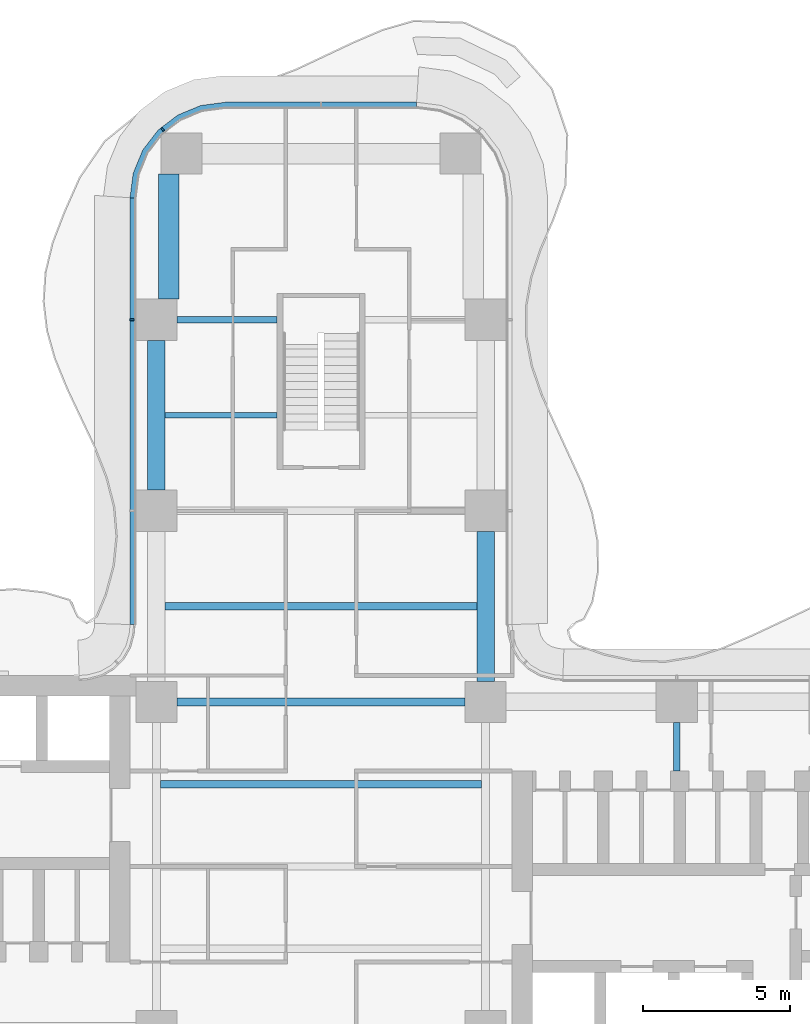
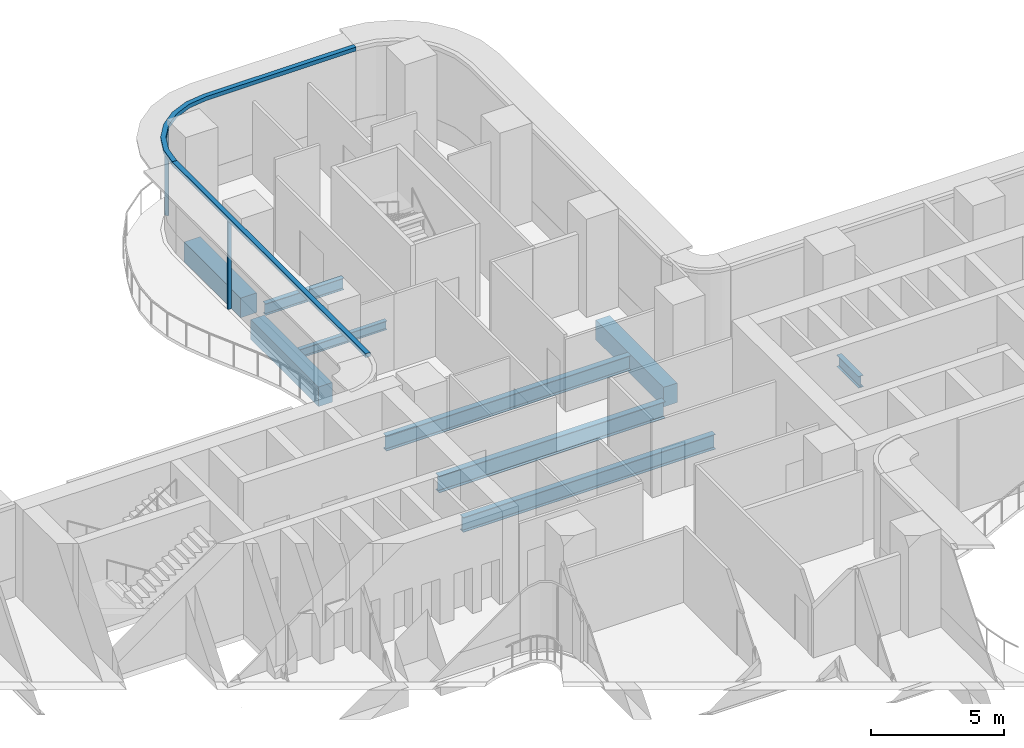
# One storey, part 9 of 23: 9 beams, 4 members, 2 elements without a shape of their own.
"""IFC4 building model written with IfcOpenShell, lengths in metres."""

from ifc_helpers import new_model, si_unit, direction, frame, origin, origin_2d, place, context, subcontext, project, spatial, polyline, rectangle, i_section, outline, extrude, source, transform, mapped, material, layer, layer_set, material_profile, profile_set, type_object, element, aggregate, save


model = new_model("IFC4")

# Units and contexts
model_context = context("Model", 3, precision=1e-05, world=origin(), true_north=direction((0.0, 1.0)))
body_context = subcontext(model_context, "Body", "Model", "MODEL_VIEW")
ifc_project = project(units=[si_unit("LENGTHUNIT", "METRE"), si_unit("AREAUNIT", "SQUARE_METRE"), si_unit("VOLUMEUNIT", "CUBIC_METRE"), si_unit("PLANEANGLEUNIT", "RADIAN"), si_unit("MASSUNIT", "GRAM", prefix="KILO")], contexts=[model_context])

# Site, building, storey
site_placement = place(None, origin())
site = spatial("IfcSite", under=ifc_project, at=site_placement, CompositionType="ELEMENT")
building_placement = place(site_placement, origin())
building = spatial("IfcBuilding", under=site, at=building_placement, Name="Trellis Farm Tower", CompositionType="ELEMENT")
storey_placement = place(building_placement, frame((0.0, 0.0, 74.5)))
storey = spatial("IfcBuildingStorey", under=building, at=storey_placement, Name="L15", CompositionType="ELEMENT", Elevation=74.5)

# Beams
ifc_material_1 = material(Name="Steel S355", Category="steel")
ifc_material_profile_1 = material_profile(ifc_material_1, i_section(OverallWidth=0.253662109375, OverallDepth=0.68359375, WebThickness=0.012451171875, FlangeThickness=0.021728515625, FilletRadius=0.01513671875, at=origin_2d()), Name="UB 686x254x140")
ifc_profile_set_1 = profile_set([ifc_material_profile_1], Name="Steel S355")
beam_type_1 = type_object("IfcBeamType", Name="UB 686x254x140 joist", PredefinedType="JOIST", material=ifc_profile_set_1)
shared_shape_1 = source(origin(), body_context, "Body", "SweptSolid", [
    extrude(i_section(OverallWidth=0.253662109375, OverallDepth=0.68359375, WebThickness=0.012451171875, FlangeThickness=0.021728515625, FilletRadius=0.01513671875, at=origin_2d()), origin(), (0.0, 0.0, 1.0), 10.93310546875),
])
beam_1_placement = place(storey_placement, frame((-5.466552734375, 2.800048828125, -0.591796875), z_axis=(1.0, 0.0, 0.0), x_axis=(0.0, 1.0, 0.0)))
element("IfcBeam", 1, at=beam_1_placement, inside=storey, type_object=beam_type_1, Name="Floor beam", PredefinedType="JOIST", context=body_context, shape_type="MappedRepresentation", body=[
    mapped(shared_shape_1, transform((0.0, 0.0, 0.0))),
])
ifc_material_profile_2 = material_profile(ifc_material_1, i_section(OverallWidth=0.209228515625, OverallDepth=0.533203125, WebThickness=0.010009765625, FlangeThickness=0.015625, FilletRadius=0.0126953125, at=origin_2d()), Name="UB 533x210x92")
ifc_profile_set_2 = profile_set([ifc_material_profile_2], Name="Steel S355")
beam_type_2 = type_object("IfcBeamType", Name="UB 533x210x92", PredefinedType="BEAM", material=ifc_profile_set_2)
shared_shape_2 = source(origin(), body_context, "Body", "SweptSolid", [
    extrude(i_section(OverallWidth=0.209228515625, OverallDepth=0.533203125, WebThickness=0.010009765625, FlangeThickness=0.015625, FilletRadius=0.0126953125, at=origin_2d()), origin(), (0.0, 0.0, 1.0), 3.39990234375),
])
beam_2_placement = place(storey_placement, frame((-4.89990234375, 18.60009765625, -0.5166015625), z_axis=(1.0, 0.0, 0.0), x_axis=(0.0, 1.0, 0.0)))
element("IfcBeam", 2, at=beam_2_placement, inside=storey, type_object=beam_type_2, Name="Girder", PredefinedType="BEAM", context=body_context, shape_type="MappedRepresentation", body=[
    mapped(shared_shape_2, transform((0.0, 0.0, 0.0))),
])
ifc_material_2 = material(Name="Concrete C60/75", Category="concrete")
ifc_material_profile_3 = material_profile(ifc_material_2, rectangle(XDim=0.60009765625, YDim=0.89990234375, at=origin_2d()), Name="RC spandrel beam 600x900 C60/75")
ifc_profile_set_3 = profile_set([ifc_material_profile_3], Name="Concrete C60/75")
beam_type_3 = type_object("IfcBeamType", Name="RC spandrel beam 600x900 C60/75", PredefinedType="SPANDREL", material=ifc_profile_set_3)
shared_shape_3 = source(origin(), body_context, "Body", "SweptSolid", [
    extrude(rectangle(XDim=0.60009765625, YDim=0.89990234375, at=origin_2d()), origin(), (0.0, 0.0, 1.0), 5.099853515625),
])
for number, where, z_axis, x_axis, name in (
    (3, (-5.60009765625, 12.800048828125, -0.699951171875), (0.0, 1.0, 0.0), (-1.0, 0.0, 0.0), "Girder"),
    (4, (5.60009765625, 6.300048828125, -0.699951171875), (0.0, 1.0, 0.0), (-1.0, 0.0, 0.0), "Girder"),
):
    element("IfcBeam", number, at=place(storey_placement, frame(where, z_axis=z_axis, x_axis=x_axis)), inside=storey, type_object=beam_type_3, Name=name, PredefinedType="SPANDREL", context=body_context, shape_type="MappedRepresentation", body=[
        mapped(shared_shape_3, transform((0.0, 0.0, 0.0))),
    ])
ifc_material_profile_4 = material_profile(ifc_material_1, i_section(OverallWidth=0.2666015625, OverallDepth=0.76220703125, WebThickness=0.014404296875, FlangeThickness=0.021484375, FilletRadius=0.0166015625, at=origin_2d()), Name="UB 762x267x173")
ifc_profile_set_4 = profile_set([ifc_material_profile_4], Name="Steel S355")
beam_type_4 = type_object("IfcBeamType", Name="UB 762x267x173", PredefinedType="BEAM", material=ifc_profile_set_4)
shared_shape_4 = source(origin(), body_context, "Body", "SweptSolid", [
    extrude(i_section(OverallWidth=0.2666015625, OverallDepth=0.76220703125, WebThickness=0.014404296875, FlangeThickness=0.021484375, FilletRadius=0.0166015625, at=origin_2d()), origin(), (0.0, 0.0, 1.0), 9.7998046875),
])
beam_3_placement = place(storey_placement, frame((-4.89990234375, 5.60009765625, -0.631103515625), z_axis=(1.0, 0.0, 0.0), x_axis=(0.0, 1.0, 0.0)))
element("IfcBeam", 5, at=beam_3_placement, inside=storey, type_object=beam_type_4, Name="Girder", PredefinedType="BEAM", context=body_context, shape_type="MappedRepresentation", body=[
    mapped(shared_shape_4, transform((0.0, 0.0, 0.0))),
])
ifc_material_profile_5 = material_profile(ifc_material_2, rectangle(XDim=0.699951171875, YDim=0.89990234375, at=origin_2d()), Name="RC spandrel beam 700x900 C60/75")
ifc_profile_set_5 = profile_set([ifc_material_profile_5], Name="Concrete C60/75")
beam_type_5 = type_object("IfcBeamType", Name="RC spandrel beam 700x900 C60/75", PredefinedType="SPANDREL", material=ifc_profile_set_5)
shared_shape_5 = source(origin(), body_context, "Body", "SweptSolid", [
    extrude(rectangle(XDim=0.699951171875, YDim=0.89990234375, at=origin_2d()), origin(), (0.0, 0.0, 1.0), 4.25),
])
beam_4_placement = place(storey_placement, frame((-5.175048828125, 19.300048828125, -0.699951171875), z_axis=(0.0, 1.0, 0.0), x_axis=(-1.0, 0.0, 0.0)))
element("IfcBeam", 6, at=beam_4_placement, inside=storey, type_object=beam_type_5, Name="Girder", PredefinedType="SPANDREL", context=body_context, shape_type="MappedRepresentation", body=[
    mapped(shared_shape_5, transform((0.0, 0.0, 0.0))),
])
shared_shape_6 = source(origin(), body_context, "Body", "SweptSolid", [
    extrude(i_section(OverallWidth=0.209228515625, OverallDepth=0.533203125, WebThickness=0.010009765625, FlangeThickness=0.015625, FilletRadius=0.0126953125, at=origin_2d()), origin(), (0.0, 0.0, 1.0), 1.64990234375),
])
beam_5_placement = place(storey_placement, frame((12.10009765625, 3.25, -0.5166015625), z_axis=(0.0, 1.0, 0.0), x_axis=(-1.0, 0.0, 0.0)))
element("IfcBeam", 7, at=beam_5_placement, inside=storey, type_object=beam_type_2, Name="Girder", PredefinedType="BEAM", context=body_context, shape_type="MappedRepresentation", body=[
    mapped(shared_shape_6, transform((0.0, 0.0, 0.0))),
])
ifc_material_profile_6 = material_profile(ifc_material_1, i_section(OverallWidth=0.177978515625, OverallDepth=0.406494140625, WebThickness=0.0078125, FlangeThickness=0.0126953125, FilletRadius=0.01025390625, at=origin_2d()), Name="UB 406x178x60")
ifc_profile_set_6 = profile_set([ifc_material_profile_6], Name="Steel S355")
beam_type_6 = type_object("IfcBeamType", Name="UB 406x178x60 joist", PredefinedType="JOIST", material=ifc_profile_set_6)
shared_shape_7 = source(origin(), body_context, "Body", "SweptSolid", [
    extrude(i_section(OverallWidth=0.177978515625, OverallDepth=0.406494140625, WebThickness=0.0078125, FlangeThickness=0.0126953125, FilletRadius=0.01025390625, at=origin_2d()), origin(), (0.0, 0.0, 1.0), 3.800048828125),
])
beam_6_placement = place(storey_placement, frame((-5.300048828125, 15.35009765625, -0.453125), z_axis=(1.0, 0.0, 0.0), x_axis=(0.0, 1.0, 0.0)))
element("IfcBeam", 8, at=beam_6_placement, inside=storey, type_object=beam_type_6, Name="Floor beam", PredefinedType="JOIST", context=body_context, shape_type="MappedRepresentation", body=[
    mapped(shared_shape_7, transform((0.0, 0.0, 0.0))),
])
shared_shape_8 = source(origin(), body_context, "Body", "SweptSolid", [
    extrude(i_section(OverallWidth=0.253662109375, OverallDepth=0.68359375, WebThickness=0.012451171875, FlangeThickness=0.021728515625, FilletRadius=0.01513671875, at=origin_2d()), origin(), (0.0, 0.0, 1.0), 10.60009765625),
])
beam_7_placement = place(storey_placement, frame((-5.300048828125, 8.85009765625, -0.591796875), z_axis=(1.0, 0.0, 0.0), x_axis=(0.0, 1.0, 0.0)))
element("IfcBeam", 9, at=beam_7_placement, inside=storey, type_object=beam_type_1, Name="Floor beam", PredefinedType="JOIST", context=body_context, shape_type="MappedRepresentation", body=[
    mapped(shared_shape_8, transform((0.0, 0.0, 0.0))),
])

# Curtain wall, member
ifc_material_3 = material(Name="Aluminium and glass curtain wall", Category="aluminium")
ifc_layer_1 = layer(ifc_material_3, 0.18994140625)
ifc_layer_set_1 = layer_set([ifc_layer_1], Name="RIBBON CURTAIN WALL CW1")
curtain_wall_type = type_object("IfcCurtainWallType", Name="RIBBON CURTAIN WALL CW1", PredefinedType="NOTDEFINED", material=ifc_layer_set_1)
placement_1 = place(storey_placement, origin())
curtain_wall_1 = element("IfcCurtainWall", 10, at=placement_1, inside=storey, type_object=curtain_wall_type, Name="CW1 010", PredefinedType="NOTDEFINED")
ifc_material_4 = material(Name="Aluminium extrusion 6063-T6", Category="aluminium")
ifc_material_profile_7 = material_profile(ifc_material_4, rectangle(XDim=0.06005859375, YDim=0.14990234375, at=origin_2d()), Name="MULLION 60x150")
ifc_profile_set_7 = profile_set([ifc_material_profile_7], Name="Aluminium extrusion 6063-T6")
member_type_1 = type_object("IfcMemberType", Name="CW1 MULLION 60x150", PredefinedType="MULLION", material=ifc_profile_set_7)
shared_shape_9 = source(origin(), body_context, "Body", "SweptSolid", [
    extrude(rectangle(XDim=0.06005859375, YDim=0.14990234375, at=origin_2d()), origin(), (0.0, 0.0, 1.0), 4.070068359375),
])
member_1_placement = place(storey_placement, frame((-5.385498046875, 25.078369140625, 0.0), z_axis=(0.0, 0.0, 1.0), x_axis=(-0.793353340291, -0.608761429009, 0.0)))
member_1 = element("IfcMember", 11, at=member_1_placement, type_object=member_type_1, Name="MU1 010-02", PredefinedType="MULLION", context=body_context, shape_type="MappedRepresentation", body=[
    mapped(shared_shape_9, transform((0.0, 0.0, 0.0))),
])

# Curtain wall, members
curtain_wall_2 = element("IfcCurtainWall", 12, at=placement_1, inside=storey, type_object=curtain_wall_type, Name="CW1 011", PredefinedType="NOTDEFINED")
member_2_placement = place(storey_placement, frame((-6.425048828125, 18.60009765625, 0.0), z_axis=(0.0, 0.0, 1.0), x_axis=(0.0, -1.0, 0.0)))
member_2 = element("IfcMember", 13, at=member_2_placement, type_object=member_type_1, Name="MU1 011-01", PredefinedType="MULLION", context=body_context, shape_type="MappedRepresentation", body=[
    mapped(shared_shape_9, transform((0.0, 0.0, 0.0))),
])
ifc_layer_2 = layer(ifc_material_4, 0.199951171875)
ifc_layer_set_2 = layer_set([ifc_layer_2], Name="Aluminium extrusion 6063-T6")
member_type_2 = type_object("IfcMemberType", Name="CW1 TRANSOM 200x180", PredefinedType="USERDEFINED", material=ifc_layer_set_2)
shared_shape_10 = source(origin(), body_context, "Body", "SweptSolid", [
    extrude(outline(polyline([(-6.5, 22.75), (-6.5, 8.2314453125), (-6.300048828125, 8.224853515625), (-6.300048828125, 22.73681640625), (-6.5, 22.75)])), origin(), (0.0, 0.0, 1.0), 0.179931640625),
])
placement_2 = place(storey_placement, frame((0.0, 0.0, 4.070068359375)))
member_3 = element("IfcMember", 14, at=placement_2, type_object=member_type_2, Name="TR1 011", ObjectType="TRANSOM", PredefinedType="USERDEFINED", context=body_context, shape_type="MappedRepresentation", body=[
    mapped(shared_shape_10, transform((0.0, 0.0, 0.0))),
])
aggregate(curtain_wall_2, [member_2, member_3])

# Member
shared_shape_11 = source(origin(), body_context, "Body", "SweptSolid", [
    extrude(outline(polyline([(3.25, 26.0), (-3.25, 26.0), (-4.091064453125, 25.88916015625), (-4.875, 25.564697265625), (-5.548095703125, 25.048095703125), (-6.064697265625, 24.375), (-6.38916015625, 23.591064453125), (-6.5, 22.75), (-6.300048828125, 22.73681640625), (-6.1943359375, 23.5390625), (-5.889892578125, 24.274169921875), (-5.405517578125, 24.905517578125), (-4.774169921875, 25.389892578125), (-4.0390625, 25.6943359375), (-3.23681640625, 25.800048828125), (3.23681640625, 25.800048828125), (3.25, 26.0)])), origin(), (0.0, 0.0, 1.0), 0.179931640625),
])
member_4 = element("IfcMember", 15, at=placement_2, type_object=member_type_2, Name="TR1 010", ObjectType="TRANSOM", PredefinedType="USERDEFINED", context=body_context, shape_type="MappedRepresentation", body=[
    mapped(shared_shape_11, transform((0.0, 0.0, 0.0))),
])

aggregate(curtain_wall_1, [member_1, member_4])

save(model, "model.ifc")
